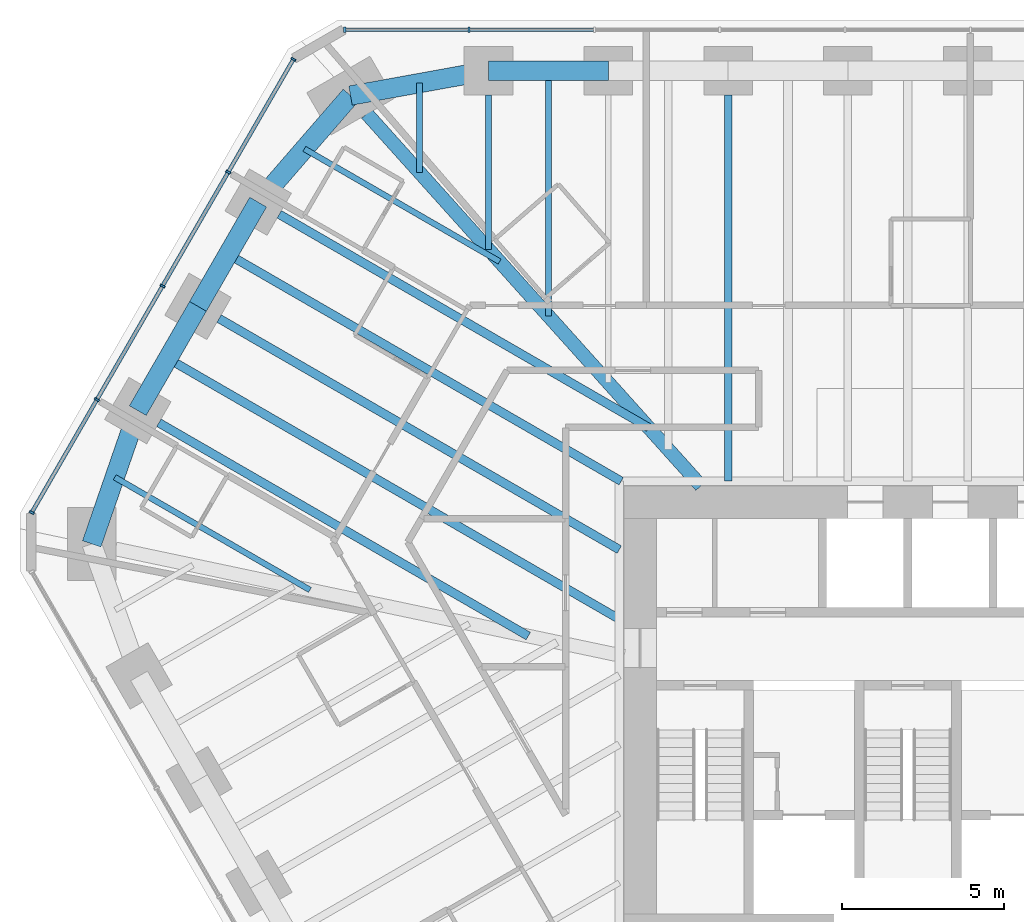
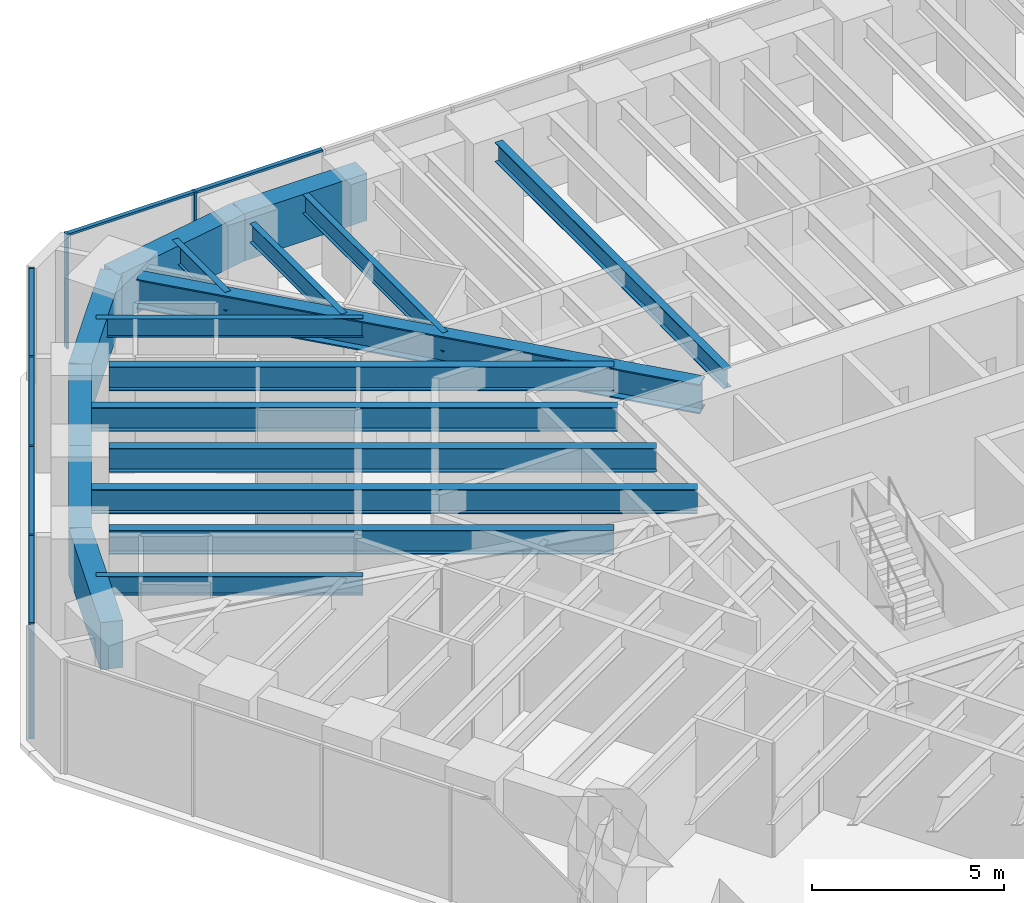
# One storey, part 7 of 16: 18 beams, 13 members, 2 elements without a shape of their own.
"""IFC4 building model written with IfcOpenShell, lengths in metres."""

from ifc_helpers import new_model, si_unit, direction, frame, origin, origin_2d, place, context, subcontext, project, spatial, rectangle, i_section, extrude, material, material_profile, profile_set, type_object, element, aggregate, save


model = new_model("IFC4")

# Units and contexts
model_context = context("Model", 3, precision=1e-05, world=origin(), true_north=direction((0.0, 1.0)))
body_context = subcontext(model_context, "Body", "Model", "MODEL_VIEW")
ifc_project = project(units=[si_unit("LENGTHUNIT", "METRE"), si_unit("AREAUNIT", "SQUARE_METRE"), si_unit("VOLUMEUNIT", "CUBIC_METRE"), si_unit("PLANEANGLEUNIT", "RADIAN"), si_unit("MASSUNIT", "GRAM", prefix="KILO")], contexts=[model_context])

# Site, building, storey
site_placement = place(None, origin())
site = spatial("IfcSite", under=ifc_project, at=site_placement, CompositionType="ELEMENT")
building_placement = place(site_placement, origin())
building = spatial("IfcBuilding", under=site, at=building_placement, Name="Sandreach Pilgrim Tower", CompositionType="ELEMENT")
storey_placement = place(building_placement, frame((0.0, 0.0, 202.199951171875)))
storey = spatial("IfcBuildingStorey", under=building, at=storey_placement, Name="L50", CompositionType="ELEMENT", Elevation=202.199951171875)

# Curtain wall, members
ifc_material_1 = material(Name="Aluminium framed curtain wall", Category="aluminium")
curtain_wall_type = type_object("IfcCurtainWallType", Name="Upper hotel tower curtain wall", PredefinedType="NOTDEFINED", material=ifc_material_1)
curtain_wall_1_placement = place(storey_placement, origin())
curtain_wall_1 = element("IfcCurtainWall", 1, at=curtain_wall_1_placement, inside=storey, type_object=curtain_wall_type, Name="CW-3 L50 N", PredefinedType="NOTDEFINED")
ifc_material_2 = material(Name="Aluminium extrusion", Category="aluminium")
ifc_material_profile_1 = material_profile(ifc_material_2, rectangle(XDim=0.06494140625, YDim=0.159912109375, at=origin_2d()), Name="CW-3M 65X160")
ifc_profile_set_1 = profile_set([ifc_material_profile_1], Name="Aluminium extrusion")
member_type_1 = type_object("IfcMemberType", Name="CW-3 mullion", PredefinedType="MULLION", material=ifc_profile_set_1)
member_1_placement = place(storey_placement, frame((-17.357421875, 21.16015625, 0.0), z_axis=(0.0, 0.0, 1.0), x_axis=(1.0, 0.0, 0.0)))
member_1 = element("IfcMember", 2, at=member_1_placement, type_object=member_type_1, Name="CW-3 mullion 1", PredefinedType="MULLION", context=body_context, shape_type="SweptSolid", body=[
    extrude(rectangle(XDim=0.06494140625, YDim=0.159912109375, at=origin_2d()), origin(), (0.0, 0.0, 1.0), 3.64013671875),
])
member_2_placement = place(storey_placement, frame((-13.525390625, 21.16015625, 0.0), z_axis=(0.0, 0.0, 1.0), x_axis=(1.0, 0.0, 0.0)))
member_2 = element("IfcMember", 3, at=member_2_placement, type_object=member_type_1, Name="CW-3 mullion 2", PredefinedType="MULLION", context=body_context, shape_type="SweptSolid", body=[
    extrude(rectangle(XDim=0.06494140625, YDim=0.159912109375, at=origin_2d()), origin(), (0.0, 0.0, 1.0), 3.64013671875),
])

curtain_wall_2_placement = place(storey_placement, origin())
curtain_wall_2 = element("IfcCurtainWall", 4, at=curtain_wall_2_placement, inside=storey, type_object=curtain_wall_type, Name="CW-3 L50 NW", PredefinedType="NOTDEFINED")
member_3_placement = place(storey_placement, frame((-27.00390625, 6.278076171875, 0.0), z_axis=(0.0, 0.0, 1.0), x_axis=(0.5, 0.866025403784, 0.0)))
member_3 = element("IfcMember", 5, at=member_3_placement, type_object=member_type_1, Name="CW-3 mullion 1", PredefinedType="MULLION", context=body_context, shape_type="SweptSolid", body=[
    extrude(rectangle(XDim=0.06494140625, YDim=0.159912109375, at=origin_2d()), origin(), (0.0, 0.0, 1.0), 3.64013671875),
])
member_4_placement = place(storey_placement, frame((-24.995849609375, 9.75634765625, 0.0), z_axis=(0.0, 0.0, 1.0), x_axis=(0.5, 0.866025403784, 0.0)))
member_4 = element("IfcMember", 6, at=member_4_placement, type_object=member_type_1, Name="CW-3 mullion 2", PredefinedType="MULLION", context=body_context, shape_type="SweptSolid", body=[
    extrude(rectangle(XDim=0.06494140625, YDim=0.159912109375, at=origin_2d()), origin(), (0.0, 0.0, 1.0), 3.64013671875),
])
member_5_placement = place(storey_placement, frame((-22.971435546875, 13.262451171875, 0.0), z_axis=(0.0, 0.0, 1.0), x_axis=(0.5, 0.866025403784, 0.0)))
member_5 = element("IfcMember", 7, at=member_5_placement, type_object=member_type_1, Name="CW-3 mullion 3", PredefinedType="MULLION", context=body_context, shape_type="SweptSolid", body=[
    extrude(rectangle(XDim=0.06494140625, YDim=0.159912109375, at=origin_2d()), origin(), (0.0, 0.0, 1.0), 3.64013671875),
])
member_6_placement = place(storey_placement, frame((-20.947021484375, 16.768798828125, 0.0), z_axis=(0.0, 0.0, 1.0), x_axis=(0.5, 0.866025403784, 0.0)))
member_6 = element("IfcMember", 8, at=member_6_placement, type_object=member_type_1, Name="CW-3 mullion 4", PredefinedType="MULLION", context=body_context, shape_type="SweptSolid", body=[
    extrude(rectangle(XDim=0.06494140625, YDim=0.159912109375, at=origin_2d()), origin(), (0.0, 0.0, 1.0), 3.64013671875),
])
member_7_placement = place(storey_placement, frame((-18.93896484375, 20.2470703125, 0.0), z_axis=(0.0, 0.0, 1.0), x_axis=(0.5, 0.866025403784, 0.0)))
member_7 = element("IfcMember", 9, at=member_7_placement, type_object=member_type_1, Name="CW-3 mullion 5", PredefinedType="MULLION", context=body_context, shape_type="SweptSolid", body=[
    extrude(rectangle(XDim=0.06494140625, YDim=0.159912109375, at=origin_2d()), origin(), (0.0, 0.0, 1.0), 3.64013671875),
])

# Member
ifc_material_3 = material(Name="Aluminium extrusion", Category="aluminium")
ifc_material_profile_2 = material_profile(ifc_material_3, rectangle(XDim=0.1201171875, YDim=0.070068359375, at=origin_2d()), Name="CW-3T 120X70")
ifc_profile_set_2 = profile_set([ifc_material_profile_2], Name="Aluminium extrusion")
member_type_2 = type_object("IfcMemberType", Name="CW-3 transom", PredefinedType="USERDEFINED", material=ifc_profile_set_2)
member_8_placement = place(storey_placement, frame((-17.324951171875, 21.16015625, 3.60498046875), z_axis=(1.0, 0.0, 0.0), x_axis=(0.0, 1.0, 0.0)))
member_8 = element("IfcMember", 10, at=member_8_placement, type_object=member_type_2, Name="CW-3 head transom 1", ObjectType="TRANSOM", PredefinedType="USERDEFINED", context=body_context, shape_type="SweptSolid", body=[
    extrude(rectangle(XDim=0.1201171875, YDim=0.070068359375, at=origin_2d()), origin(), (0.0, 0.0, 1.0), 3.76708984375),
])

member_9_placement = place(storey_placement, frame((-13.492919921875, 21.16015625, 3.60498046875), z_axis=(1.0, 0.0, 0.0), x_axis=(0.0, 1.0, 0.0)))
member_9 = element("IfcMember", 11, at=member_9_placement, type_object=member_type_2, Name="CW-3 head transom 2", ObjectType="TRANSOM", PredefinedType="USERDEFINED", context=body_context, shape_type="SweptSolid", body=[
    extrude(rectangle(XDim=0.1201171875, YDim=0.070068359375, at=origin_2d()), origin(), (0.0, 0.0, 1.0), 3.79931640625),
])

aggregate(curtain_wall_1, [member_1, member_2, member_8, member_9])

member_10_placement = place(storey_placement, frame((-26.987548828125, 6.306396484375, 3.60498046875), z_axis=(0.499993448556, 0.866029186229, 0.0), x_axis=(-0.866029186229, 0.499993448556, 0.0)))
member_10 = element("IfcMember", 12, at=member_10_placement, type_object=member_type_2, Name="CW-3 head transom 1", ObjectType="TRANSOM", PredefinedType="USERDEFINED", context=body_context, shape_type="SweptSolid", body=[
    extrude(rectangle(XDim=0.1201171875, YDim=0.070068359375, at=origin_2d()), origin(), (0.0, 0.0, 1.0), 3.951171875),
])

member_11_placement = place(storey_placement, frame((-24.9794921875, 9.784423828125, 3.60498046875), z_axis=(0.499975332564, 0.866039645067, 0.0), x_axis=(-0.866039645067, 0.499975332564, 0.0)))
member_11 = element("IfcMember", 13, at=member_11_placement, type_object=member_type_2, Name="CW-3 head transom 2", ObjectType="TRANSOM", PredefinedType="USERDEFINED", context=body_context, shape_type="SweptSolid", body=[
    extrude(rectangle(XDim=0.1201171875, YDim=0.070068359375, at=origin_2d()), origin(), (0.0, 0.0, 1.0), 3.983642578125),
])

member_12_placement = place(storey_placement, frame((-22.955078125, 13.290771484375, 3.60498046875), z_axis=(0.499975332564, 0.866039645067, 0.0), x_axis=(-0.866039645067, 0.499975332564, 0.0)))
member_12 = element("IfcMember", 14, at=member_12_placement, type_object=member_type_2, Name="CW-3 head transom 3", ObjectType="TRANSOM", PredefinedType="USERDEFINED", context=body_context, shape_type="SweptSolid", body=[
    extrude(rectangle(XDim=0.1201171875, YDim=0.070068359375, at=origin_2d()), origin(), (0.0, 0.0, 1.0), 3.983642578125),
])

member_13_placement = place(storey_placement, frame((-20.930908203125, 16.796875, 3.60498046875), z_axis=(0.499993448556, 0.866029186229, 0.0), x_axis=(-0.866029186229, 0.499993448556, 0.0)))
member_13 = element("IfcMember", 15, at=member_13_placement, type_object=member_type_2, Name="CW-3 head transom 4", ObjectType="TRANSOM", PredefinedType="USERDEFINED", context=body_context, shape_type="SweptSolid", body=[
    extrude(rectangle(XDim=0.1201171875, YDim=0.070068359375, at=origin_2d()), origin(), (0.0, 0.0, 1.0), 3.951171875),
])

aggregate(curtain_wall_2, [member_3, member_4, member_5, member_6, member_7, member_10, member_11, member_12, member_13])

# Beams
ifc_material_4 = material(Name="Steel ASTM A992 Grade 50", Category="steel")
ifc_material_profile_3 = material_profile(ifc_material_4, i_section(OverallWidth=0.421630859375, OverallDepth=0.937255859375, WebThickness=0.0224609375, FlangeThickness=0.039794921875, at=origin_2d()), Name="W36X282")
ifc_profile_set_3 = profile_set([ifc_material_profile_3], Name="Steel ASTM A992 Grade 50")
beam_type_1 = type_object("IfcBeamType", Name="Corner girder W36X282", PredefinedType="BEAM", material=ifc_profile_set_3)
beam_1_placement = place(storey_placement, frame((-16.677001953125, 18.572509765625, 3.17138671875), z_axis=(0.668116607722, -0.744056582853, 0.0), x_axis=(0.744056582853, 0.668116607722, 0.0)))
element("IfcBeam", 16, at=beam_1_placement, inside=storey, type_object=beam_type_1, Name="BM L50 CG39", PredefinedType="BEAM", context=body_context, shape_type="SweptSolid", body=[
    extrude(i_section(OverallWidth=0.421630859375, OverallDepth=0.937255859375, WebThickness=0.0224609375, FlangeThickness=0.039794921875, at=origin_2d()), origin(), (0.0, 0.0, 1.0), 15.418701171875),
])
ifc_material_5 = material(Name="Steel ASTM A992 Grade 50", Category="steel")
ifc_material_profile_4 = material_profile(ifc_material_5, i_section(OverallWidth=0.1787109375, OverallDepth=0.60205078125, WebThickness=0.010986328125, FlangeThickness=0.014892578125, at=origin_2d()), Name="W24X62")
ifc_profile_set_4 = profile_set([ifc_material_profile_4], Name="Steel ASTM A992 Grade 50")
beam_type_2 = type_object("IfcBeamType", Name="Floor beam W24X62", PredefinedType="BEAM", material=ifc_profile_set_4)
beam_2_placement = place(storey_placement, frame((-12.923828125, 19.150146484375, 3.339111328125), z_axis=(0.0, -1.0, 0.0), x_axis=(1.0, 0.0, 0.0)))
element("IfcBeam", 17, at=beam_2_placement, inside=storey, type_object=beam_type_2, Name="BM L50 F01", PredefinedType="BEAM", context=body_context, shape_type="SweptSolid", body=[
    extrude(i_section(OverallWidth=0.1787109375, OverallDepth=0.60205078125, WebThickness=0.010986328125, FlangeThickness=0.014892578125, at=origin_2d()), origin(), (0.0, 0.0, 1.0), 4.757568359375),
])
beam_3_placement = place(storey_placement, frame((-11.077392578125, 19.900146484375, 3.339111328125), z_axis=(0.0, -1.0, 0.0), x_axis=(1.0, 0.0, 0.0)))
element("IfcBeam", 18, at=beam_3_placement, inside=storey, type_object=beam_type_2, Name="BM L50 FM01", PredefinedType="BEAM", context=body_context, shape_type="SweptSolid", body=[
    extrude(i_section(OverallWidth=0.1787109375, OverallDepth=0.60205078125, WebThickness=0.010986328125, FlangeThickness=0.014892578125, at=origin_2d()), origin(), (0.0, 0.0, 1.0), 7.563720703125),
])
for number, where, z_axis, x_axis, name in (
    (19, (-24.446044921875, 7.365234375, 3.339111328125), (0.866029381593, -0.499993110171, 0.0), (0.499993110171, 0.866029381593, 0.0), "BM L50 FM35"),
    (20, (-18.6015625, 17.48828125, 3.339111328125), (0.866029381593, -0.499993110171, 0.0), (0.499993110171, 0.866029381593, 0.0), "BM L50 FM38"),
):
    element("IfcBeam", number, at=place(storey_placement, frame(where, z_axis=z_axis, x_axis=x_axis)), inside=storey, type_object=beam_type_2, Name=name, PredefinedType="BEAM", context=body_context, shape_type="SweptSolid", body=[
        extrude(i_section(OverallWidth=0.1787109375, OverallDepth=0.60205078125, WebThickness=0.010986328125, FlangeThickness=0.014892578125, at=origin_2d()), origin(), (0.0, 0.0, 1.0), 6.94921875),
    ])
beam_4_placement = place(storey_placement, frame((-15.05078125, 19.515380859375, 3.339111328125), z_axis=(0.0, -1.0, 0.0), x_axis=(1.0, 0.0, 0.0)))
element("IfcBeam", 21, at=beam_4_placement, inside=storey, type_object=beam_type_2, Name="BM L50 FM39", PredefinedType="BEAM", context=body_context, shape_type="SweptSolid", body=[
    extrude(i_section(OverallWidth=0.1787109375, OverallDepth=0.60205078125, WebThickness=0.010986328125, FlangeThickness=0.014892578125, at=origin_2d()), origin(), (0.0, 0.0, 1.0), 2.75390625),
])
ifc_material_6 = material(Name="Steel ASTM A992 Grade 50", Category="steel")
ifc_material_profile_5 = material_profile(ifc_material_6, i_section(OverallWidth=0.23046875, OverallDepth=0.6171875, WebThickness=0.01318359375, FlangeThickness=0.022216796875, at=origin_2d()), Name="W24X94")
ifc_profile_set_5 = profile_set([ifc_material_profile_5], Name="Steel ASTM A992 Grade 50")
beam_type_3 = type_object("IfcBeamType", Name="Floor beam W24X94", PredefinedType="BEAM", material=ifc_profile_set_5)
beam_5_placement = place(storey_placement, frame((-5.538818359375, 19.150146484375, 3.33154296875), z_axis=(0.0, -1.0, 0.0), x_axis=(1.0, 0.0, 0.0)))
element("IfcBeam", 22, at=beam_5_placement, inside=storey, type_object=beam_type_3, Name="BM L50 F03", PredefinedType="BEAM", context=body_context, shape_type="SweptSolid", body=[
    extrude(i_section(OverallWidth=0.23046875, OverallDepth=0.6171875, WebThickness=0.01318359375, FlangeThickness=0.022216796875, at=origin_2d()), origin(), (0.0, 0.0, 1.0), 11.90673828125),
])
ifc_material_7 = material(Name="Steel ASTM A992 Grade 50", Category="steel")
ifc_material_profile_6 = material_profile(ifc_material_7, i_section(OverallWidth=0.2666015625, OverallDepth=0.761962890625, WebThickness=0.014404296875, FlangeThickness=0.021484375, at=origin_2d()), Name="W30X116")
ifc_profile_set_6 = profile_set([ifc_material_profile_6], Name="Steel ASTM A992 Grade 50")
beam_type_4 = type_object("IfcBeamType", Name="Floor beam W30X116", PredefinedType="BEAM", material=ifc_profile_set_6)
beam_6_placement = place(storey_placement, frame((-23.0859375, 9.044189453125, 3.259033203125), z_axis=(0.866026962808, -0.499997299682, 0.0), x_axis=(0.499997299682, 0.866026962808, 0.0)))
element("IfcBeam", 23, at=beam_6_placement, inside=storey, type_object=beam_type_4, Name="BM L50 F36", PredefinedType="BEAM", context=body_context, shape_type="SweptSolid", body=[
    extrude(i_section(OverallWidth=0.2666015625, OverallDepth=0.761962890625, WebThickness=0.014404296875, FlangeThickness=0.021484375, at=origin_2d()), origin(), (0.0, 0.0, 1.0), 13.1484375),
])
beam_7_placement = place(storey_placement, frame((-21.230712890625, 12.257568359375, 3.259033203125), z_axis=(0.866024056942, -0.500002332792, 0.0), x_axis=(0.500002332792, 0.866024056942, 0.0)))
element("IfcBeam", 24, at=beam_7_placement, inside=storey, type_object=beam_type_4, Name="BM L50 F37", PredefinedType="BEAM", context=body_context, shape_type="SweptSolid", body=[
    extrude(i_section(OverallWidth=0.2666015625, OverallDepth=0.761962890625, WebThickness=0.014404296875, FlangeThickness=0.021484375, at=origin_2d()), origin(), (0.0, 0.0, 1.0), 14.24609375),
])
beam_8_placement = place(storey_placement, frame((-19.37548828125, 15.470947265625, 3.259033203125), z_axis=(0.866022320763, -0.500005339912, 0.0), x_axis=(0.500005339912, 0.866022320763, 0.0)))
element("IfcBeam", 25, at=beam_8_placement, inside=storey, type_object=beam_type_4, Name="BM L50 F38", PredefinedType="BEAM", context=body_context, shape_type="SweptSolid", body=[
    extrude(i_section(OverallWidth=0.2666015625, OverallDepth=0.761962890625, WebThickness=0.014404296875, FlangeThickness=0.021484375, at=origin_2d()), origin(), (0.0, 0.0, 1.0), 13.148193359375),
])
beam_9_placement = place(storey_placement, frame((-20.95263671875, 14.2392578125, 3.259033203125), z_axis=(0.866025770688, -0.499999364504, 0.0), x_axis=(0.499999364504, 0.866025770688, 0.0)))
element("IfcBeam", 26, at=beam_9_placement, inside=storey, type_object=beam_type_4, Name="BM L50 FM37", PredefinedType="BEAM", context=body_context, shape_type="SweptSolid", body=[
    extrude(i_section(OverallWidth=0.2666015625, OverallDepth=0.761962890625, WebThickness=0.014404296875, FlangeThickness=0.021484375, at=origin_2d()), origin(), (0.0, 0.0, 1.0), 13.99169921875),
])
ifc_material_8 = material(Name="Steel ASTM A992 Grade 50", Category="steel")
ifc_material_profile_7 = material_profile(ifc_material_8, i_section(OverallWidth=0.2666015625, OverallDepth=0.77978515625, WebThickness=0.0166015625, FlangeThickness=0.030029296875, at=origin_2d()), Name="W30X148")
ifc_profile_set_7 = profile_set([ifc_material_profile_7], Name="Steel ASTM A992 Grade 50")
beam_type_5 = type_object("IfcBeamType", Name="Floor beam W30X148", PredefinedType="BEAM", material=ifc_profile_set_7)
beam_10_placement = place(storey_placement, frame((-22.807861328125, 11.02587890625, 3.250244140625), z_axis=(0.866028701771, -0.499994287676, 0.0), x_axis=(0.499994287676, 0.866028701771, 0.0)))
element("IfcBeam", 27, at=beam_10_placement, inside=storey, type_object=beam_type_5, Name="BM L50 FM36", PredefinedType="BEAM", context=body_context, shape_type="SweptSolid", body=[
    extrude(i_section(OverallWidth=0.2666015625, OverallDepth=0.77978515625, WebThickness=0.0166015625, FlangeThickness=0.030029296875, at=origin_2d()), origin(), (0.0, 0.0, 1.0), 16.067138671875),
])
ifc_material_9 = material(Name="Concrete 10000 psi", Category="concrete")
ifc_material_profile_8 = material_profile(ifc_material_9, rectangle(XDim=0.60009765625, YDim=1.5, at=origin_2d()), Name="RC600X1500")
ifc_profile_set_8 = profile_set([ifc_material_profile_8], Name="Concrete 10000 psi")
beam_type_6 = type_object("IfcBeamType", Name="Spandrel beam RC600X1500", PredefinedType="SPANDREL", material=ifc_profile_set_8)
beam_11_placement = place(storey_placement, frame((-12.923828125, 19.900146484375, 2.89013671875), z_axis=(1.0, 0.0, 0.0), x_axis=(0.0, 1.0, 0.0)))
element("IfcBeam", 28, at=beam_11_placement, inside=storey, type_object=beam_type_6, Name="BM L50 SP01", PredefinedType="SPANDREL", context=body_context, shape_type="SweptSolid", body=[
    extrude(rectangle(XDim=0.60009765625, YDim=1.5, at=origin_2d()), origin(), (0.0, 0.0, 1.0), 3.692626953125),
])
beam_12_placement = place(storey_placement, frame((-25.156494140625, 5.311279296875, 2.89013671875), z_axis=(0.326940800053, 0.945044820768, 0.0), x_axis=(-0.945044820768, 0.326940800053, 0.0)))
element("IfcBeam", 29, at=beam_12_placement, inside=storey, type_object=beam_type_6, Name="BM L50 SP35", PredefinedType="SPANDREL", context=body_context, shape_type="SweptSolid", body=[
    extrude(rectangle(XDim=0.60009765625, YDim=1.5, at=origin_2d()), origin(), (0.0, 0.0, 1.0), 4.3466796875),
])
for number, where, z_axis, x_axis, name in (
    (30, (-23.7353515625, 9.419189453125, 2.89013671875), (0.499946491854, 0.866056294523, 0.0), (-0.866056294523, 0.499946491854, 0.0), "BM L50 SP36"),
    (31, (-21.88037109375, 12.632568359375, 2.89013671875), (0.499995842751, 0.86602780396, 0.0), (-0.86602780396, 0.499995842751, 0.0), "BM L50 SP37"),
):
    element("IfcBeam", number, at=place(storey_placement, frame(where, z_axis=z_axis, x_axis=x_axis)), inside=storey, type_object=beam_type_6, Name=name, PredefinedType="SPANDREL", context=body_context, shape_type="SweptSolid", body=[
        extrude(rectangle(XDim=0.60009765625, YDim=1.5, at=origin_2d()), origin(), (0.0, 0.0, 1.0), 3.71044921875),
    ])
beam_13_placement = place(storey_placement, frame((-20.025146484375, 15.845947265625, 2.89013671875), z_axis=(0.65499040715, 0.755637192402, 0.0), x_axis=(-0.755637192402, 0.65499040715, 0.0)))
element("IfcBeam", 32, at=beam_13_placement, inside=storey, type_object=beam_type_6, Name="BM L50 SP38", PredefinedType="SPANDREL", context=body_context, shape_type="SweptSolid", body=[
    extrude(rectangle(XDim=0.60009765625, YDim=1.5, at=origin_2d()), origin(), (0.0, 0.0, 1.0), 4.346923828125),
])
beam_14_placement = place(storey_placement, frame((-17.177978515625, 19.130615234375, 2.89013671875), z_axis=(0.984030345637, 0.178000783326, 0.0), x_axis=(-0.178000783326, 0.984030345637, 0.0)))
element("IfcBeam", 33, at=beam_14_placement, inside=storey, type_object=beam_type_6, Name="BM L50 SP39", PredefinedType="SPANDREL", context=body_context, shape_type="SweptSolid", body=[
    extrude(rectangle(XDim=0.60009765625, YDim=1.5, at=origin_2d()), origin(), (0.0, 0.0, 1.0), 4.3232421875),
])

save(model, "model.ifc")
